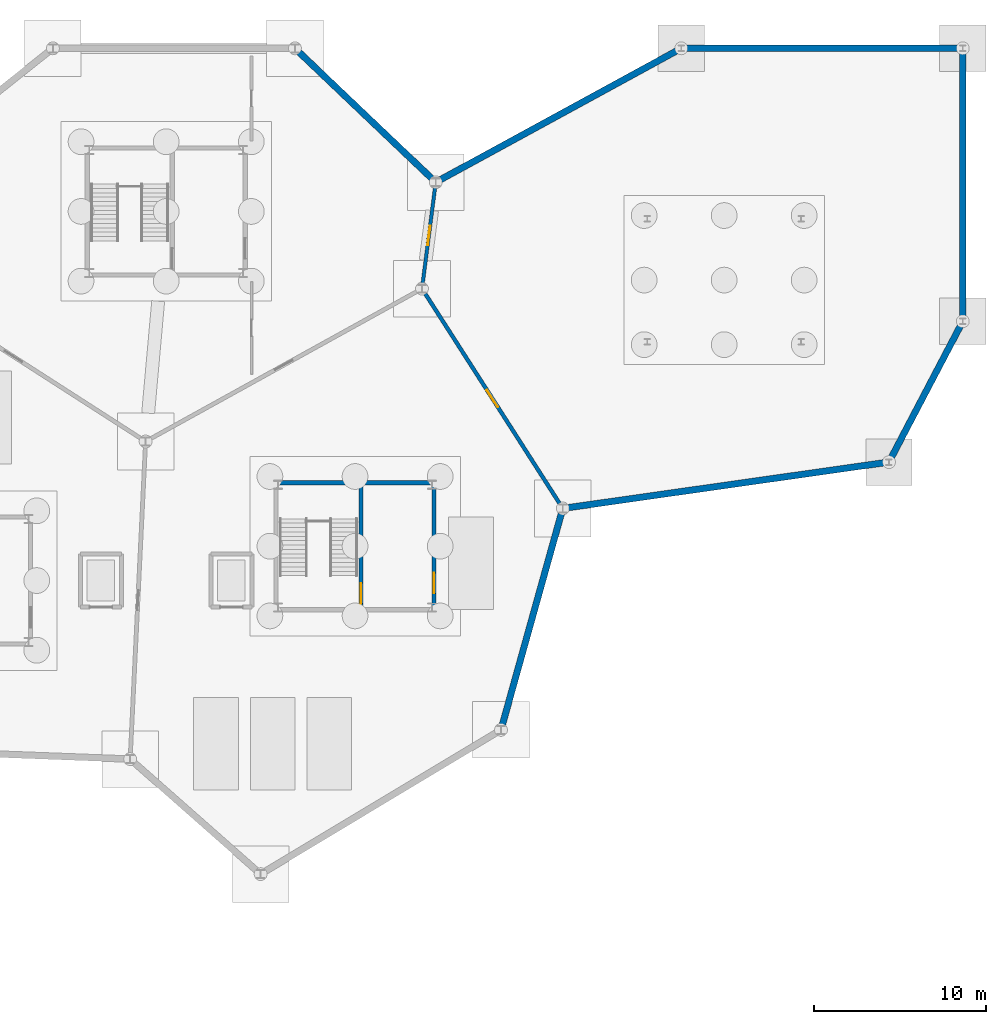
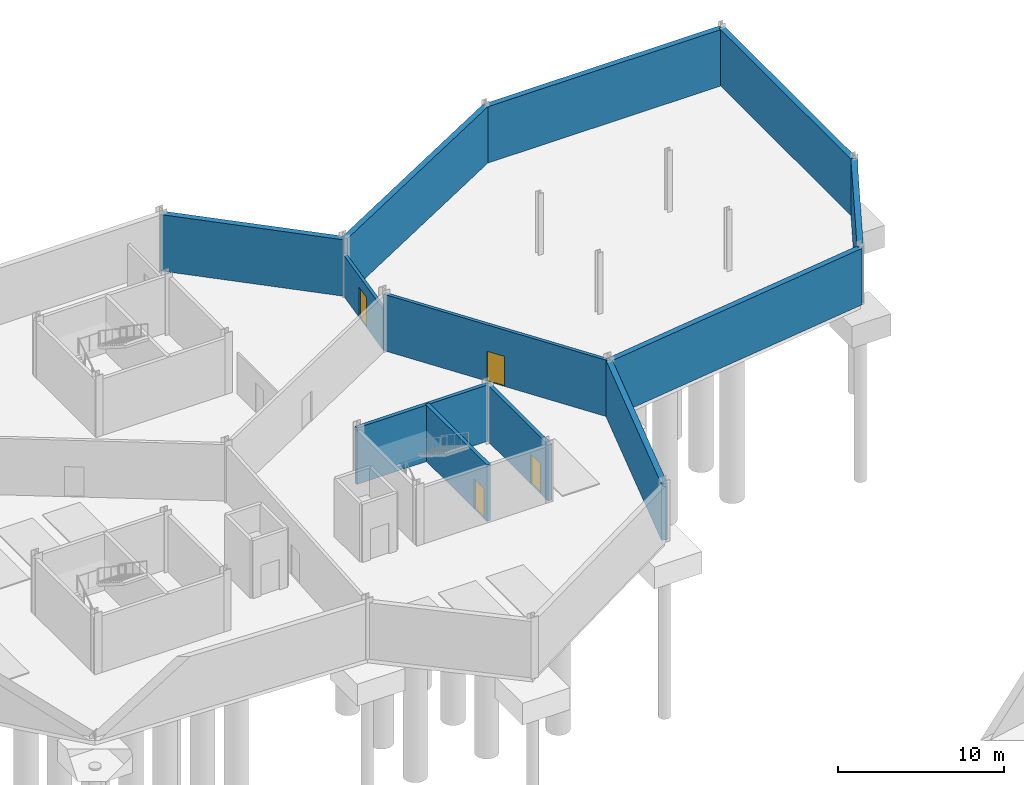
# One storey, part 32 of 37: 12 walls, 4 doors, 4 openings.
"""IFC4 building model written with IfcOpenShell, lengths in metres."""

from ifc_helpers import new_model, si_unit, direction, frame, frame_2d, origin, place, context, subcontext, project, spatial, rectangle, extrude, material, layer, layer_set, type_object, element, fill, save


model = new_model("IFC4")

# Units and contexts
model_context = context("Model", 3, precision=1e-05, world=origin(), true_north=direction((0.0, 1.0)))
body_context = subcontext(model_context, "Body", "Model", "MODEL_VIEW")
ifc_project = project(units=[si_unit("LENGTHUNIT", "METRE"), si_unit("AREAUNIT", "SQUARE_METRE"), si_unit("VOLUMEUNIT", "CUBIC_METRE"), si_unit("PLANEANGLEUNIT", "RADIAN"), si_unit("MASSUNIT", "GRAM", prefix="KILO")], contexts=[model_context])

# Site, building, storey
site_placement = place(None, origin())
site = spatial("IfcSite", under=ifc_project, at=site_placement, CompositionType="ELEMENT")
building_placement = place(site_placement, origin())
building = spatial("IfcBuilding", under=site, at=building_placement, Name="Tameran Prism Museum", CompositionType="ELEMENT")
storey_placement = place(building_placement, frame((0.0, 0.0, -4.5)))
storey = spatial("IfcBuildingStorey", under=building, at=storey_placement, Name="B1", CompositionType="ELEMENT", Elevation=-4.5)

# Walls
ifc_material_1 = material(Name="Concrete N40 (40 MPa)", Category="concrete")
ifc_layer_1 = layer(ifc_material_1, 0.3798828125)
ifc_layer_set_1 = layer_set([ifc_layer_1])
wall_type_1 = type_object("IfcWallType", Name="EW-RET-380", PredefinedType="USERDEFINED", material=ifc_layer_set_1)
wall_1_placement = place(storey_placement, frame((139.5, 72.300048828125, 0.0), z_axis=(0.0, 0.0, 1.0), x_axis=(0.268819495644, 0.963190572401, 0.0)))
element("IfcWall", 1, at=wall_1_placement, inside=storey, type_object=wall_type_1, Name="Basement Retaining Wall RW-006", ObjectType="RETAININGWALL", PredefinedType="USERDEFINED", context=body_context, shape_type="SweptSolid", body=[
    extrude(rectangle(XDim=13.34326171875, YDim=0.3798828125, at=frame_2d((6.671630859375, 0.0))), origin(), (0.0, 0.0, 1.0), 4.139892578125),
])
wall_2_placement = place(storey_placement, frame((135.6640625, 104.23388671875, 0.0), z_axis=(0.0, 0.0, 1.0), x_axis=(-0.724544866469, 0.689227637631, 0.0)))
element("IfcWall", 2, at=wall_2_placement, inside=storey, type_object=wall_type_1, Name="Basement Retaining Wall RW-007", ObjectType="RETAININGWALL", PredefinedType="USERDEFINED", context=body_context, shape_type="SweptSolid", body=[
    extrude(rectangle(XDim=11.267822265625, YDim=0.3798828125, at=frame_2d((5.6337890625, 0.0))), origin(), (0.0, 0.0, 1.0), 4.139892578125),
])
wall_3_placement = place(storey_placement, frame((143.14892578125, 85.20703125, 0.0), z_axis=(0.0, 0.0, 1.0), x_axis=(0.99005482485, 0.140682066347, 0.0)))
element("IfcWall", 3, at=wall_3_placement, inside=storey, type_object=wall_type_1, Name="Basement Retaining Wall RW-011", ObjectType="RETAININGWALL", PredefinedType="USERDEFINED", context=body_context, shape_type="SweptSolid", body=[
    extrude(rectangle(XDim=19.1416015625, YDim=0.3798828125, at=frame_2d((9.57080078125, 0.0))), origin(), (0.0, 0.0, 1.0), 4.139892578125),
])
wall_4_placement = place(storey_placement, frame((162.10009765625, 87.89990234375, 0.0), z_axis=(0.0, 0.0, 1.0), x_axis=(0.464385293852, 0.885633275602, 0.0)))
element("IfcWall", 4, at=wall_4_placement, inside=storey, type_object=wall_type_1, Name="Basement Retaining Wall RW-012", ObjectType="RETAININGWALL", PredefinedType="USERDEFINED", context=body_context, shape_type="SweptSolid", body=[
    extrude(rectangle(XDim=9.259033203125, YDim=0.3798828125, at=frame_2d((4.62939453125, 0.0))), origin(), (0.0, 0.0, 1.0), 4.139892578125),
])
wall_5_placement = place(storey_placement, frame((166.39990234375, 96.10009765625, 0.0), z_axis=(0.0, 0.0, 1.0), x_axis=(0.0, 1.0, 0.0)))
element("IfcWall", 5, at=wall_5_placement, inside=storey, type_object=wall_type_1, Name="Basement Retaining Wall RW-013", ObjectType="RETAININGWALL", PredefinedType="USERDEFINED", context=body_context, shape_type="SweptSolid", body=[
    extrude(rectangle(XDim=15.89990234375, YDim=0.3798828125, at=frame_2d((7.949951171875, 0.0))), origin(), (0.0, 0.0, 1.0), 4.139892578125),
])
wall_6_placement = place(storey_placement, frame((166.39990234375, 112.0, 0.0), z_axis=(0.0, 0.0, 1.0), x_axis=(-1.0, 0.0, 0.0)))
element("IfcWall", 6, at=wall_6_placement, inside=storey, type_object=wall_type_1, Name="Basement Retaining Wall RW-014", ObjectType="RETAININGWALL", PredefinedType="USERDEFINED", context=body_context, shape_type="SweptSolid", body=[
    extrude(rectangle(XDim=16.39990234375, YDim=0.3798828125, at=frame_2d((8.199951171875, 0.0))), origin(), (0.0, 0.0, 1.0), 4.139892578125),
])
wall_7_placement = place(storey_placement, frame((150.0, 112.0, 0.0), z_axis=(0.0, 0.0, 1.0), x_axis=(-0.87790016936, -0.478843703768, 0.0)))
element("IfcWall", 7, at=wall_7_placement, inside=storey, type_object=wall_type_1, Name="Basement Retaining Wall RW-015", ObjectType="RETAININGWALL", PredefinedType="USERDEFINED", context=body_context, shape_type="SweptSolid", body=[
    extrude(rectangle(XDim=16.23876953125, YDim=0.3798828125, at=frame_2d((8.119384765625, 0.0))), origin(), (0.0, 0.0, 1.0), 4.139892578125),
])

# Wall, opening, door
ifc_material_2 = material(Name="Concrete N32 (32 MPa)", Category="concrete")
ifc_layer_2 = layer(ifc_material_2, 0.205078125)
ifc_layer_set_2 = layer_set([ifc_layer_2])
wall_type_2 = type_object("IfcWallType", Name="IW-CMP-205", PredefinedType="SOLIDWALL", material=ifc_layer_set_2)
wall_8_placement = place(storey_placement, frame((134.89990234375, 98.0, 0.0), z_axis=(0.0, 0.0, 1.0), x_axis=(0.127980011854, 0.991776747341, 0.0)))
wall_8 = element("IfcWall", 8, at=wall_8_placement, inside=storey, type_object=wall_type_2, Name="Compartment Wall IW-0005", PredefinedType="SOLIDWALL", context=body_context, shape_type="SweptSolid", body=[
    extrude(rectangle(XDim=6.25146484375, YDim=0.205078125, at=frame_2d((3.125732421875, 0.0))), origin(), (0.0, 0.0, 1.0), 3.02001953125),
])
opening_1_placement = place(wall_8_placement, frame((2.551025390625, 0.0, 0.0)))
opening_1 = element("IfcOpeningElement", 9, at=opening_1_placement, cuts=wall_8, Name="Opening ID-0005", PredefinedType="OPENING", context=body_context, shape_type="SweptSolid", body=[
    extrude(rectangle(XDim=1.14990234375, YDim=2.199951171875, at=frame_2d((0.574951171875, 1.10009765625))), frame((0.0, 0.112548828125, 0.0), z_axis=(0.0, -1.0, 0.0), x_axis=(1.0, 0.0, 0.0)), (0.0, 0.0, 1.0), 0.22509765625),
])
ifc_material_3 = material(Name="Fire-Rated Steel Door Leaf and Frame", Category="steel")
door_type_1 = type_object("IfcDoorType", Name="DR-FD-120B", OperationType="NOTDEFINED", PredefinedType="DOOR", material=ifc_material_3)
door_1_placement = place(opening_1_placement, origin())
door_1 = element("IfcDoor", 10, at=door_1_placement, inside=storey, type_object=door_type_1, Name="Compartment Door ID-0005", OperationType="SINGLE_SWING_RIGHT", OverallHeight=2.199951171875, OverallWidth=1.14990234375, PredefinedType="DOOR", context=body_context, shape_type="SweptSolid", body=[
    extrude(rectangle(XDim=1.14990234375, YDim=2.199951171875, at=frame_2d((0.574951171875, 1.10009765625))), frame((0.0, 0.02490234375, 0.0), z_axis=(0.0, -1.0, 0.0), x_axis=(1.0, 0.0, 0.0)), (0.0, 0.0, 1.0), 0.050048828125),
])
fill(opening_1, door_1)

ifc_material_4 = material(Name="Concrete N40 (40 MPa)", Category="concrete")
ifc_layer_3 = layer(ifc_material_4, 0.22509765625)
ifc_layer_set_3 = layer_set([ifc_layer_3])
wall_type_3 = type_object("IfcWallType", Name="IW-CMP-225", PredefinedType="SOLIDWALL", material=ifc_layer_set_3)
wall_9_placement = place(storey_placement, frame((143.10009765625, 85.199951171875, 0.0), z_axis=(0.0, 0.0, 1.0), x_axis=(-0.539434641352, 0.842027474439, 0.0)))
wall_9 = element("IfcWall", 11, at=wall_9_placement, inside=storey, type_object=wall_type_3, Name="Compartment Wall IW-0004", PredefinedType="SOLIDWALL", context=body_context, shape_type="SweptSolid", body=[
    extrude(rectangle(XDim=15.201416015625, YDim=0.22509765625, at=frame_2d((7.6005859375, 0.0))), origin(), (0.0, 0.0, 1.0), 4.139892578125),
])
opening_2_placement = place(wall_9_placement, frame((7.0009765625, 0.0, 0.0)))
opening_2 = element("IfcOpeningElement", 12, at=opening_2_placement, cuts=wall_9, Name="Opening ID-0004", PredefinedType="OPENING", context=body_context, shape_type="SweptSolid", body=[
    extrude(rectangle(XDim=1.199951171875, YDim=2.199951171875, at=frame_2d((0.60009765625, 1.10009765625))), frame((0.0, 0.12255859375, 0.0), z_axis=(0.0, -1.0, 0.0), x_axis=(1.0, 0.0, 0.0)), (0.0, 0.0, 1.0), 0.2451171875),
])
ifc_material_5 = material(Name="Fire-Rated Steel Door Leaf and Frame", Category="steel")
door_type_2 = type_object("IfcDoorType", Name="DR-FD-120A", OperationType="NOTDEFINED", PredefinedType="DOOR", material=ifc_material_5)
door_2_placement = place(opening_2_placement, origin())
door_2 = element("IfcDoor", 13, at=door_2_placement, inside=storey, type_object=door_type_2, Name="Compartment Door ID-0004", OperationType="SINGLE_SWING_LEFT", OverallHeight=2.199951171875, OverallWidth=1.199951171875, PredefinedType="DOOR", context=body_context, shape_type="SweptSolid", body=[
    extrude(rectangle(XDim=1.199951171875, YDim=2.199951171875, at=frame_2d((0.60009765625, 1.10009765625))), frame((0.0, 0.02490234375, 0.0), z_axis=(0.0, -1.0, 0.0), x_axis=(1.0, 0.0, 0.0)), (0.0, 0.0, 1.0), 0.050048828125),
])
fill(opening_2, door_2)

# Wall
ifc_material_6 = material(Name="Concrete N40 (40 MPa)", Category="concrete")
ifc_layer_4 = layer(ifc_material_6, 0.25)
ifc_layer_set_4 = layer_set([ifc_layer_4])
wall_type_4 = type_object("IfcWallType", Name="IW-COR-250", PredefinedType="SHEAR", material=ifc_layer_set_4)
wall_10_placement = place(storey_placement, frame((126.39990234375, 86.699951171875, 0.0), z_axis=(0.0, 0.0, 1.0), x_axis=(1.0, 0.0, 0.0)))
element("IfcWall", 14, at=wall_10_placement, inside=storey, type_object=wall_type_4, Name="Core Shear Wall CW-2-B1-N", PredefinedType="SHEAR", context=body_context, shape_type="SweptSolid", body=[
    extrude(rectangle(XDim=9.2001953125, YDim=0.25, at=frame_2d((4.60009765625, 0.0))), origin(), (0.0, 0.0, 1.0), 4.139892578125),
])

# Wall, opening, door
wall_11_placement = place(storey_placement, frame((135.60009765625, 86.699951171875, 0.0), z_axis=(0.0, 0.0, 1.0), x_axis=(0.0, -1.0, 0.0)))
wall_11 = element("IfcWall", 15, at=wall_11_placement, inside=storey, type_object=wall_type_4, Name="Core Shear Wall CW-2-B1-E", PredefinedType="SHEAR", context=body_context, shape_type="SweptSolid", body=[
    extrude(rectangle(XDim=7.39990234375, YDim=0.25, at=frame_2d((3.699951171875, 0.0))), origin(), (0.0, 0.0, 1.0), 4.139892578125),
])
opening_3_placement = place(wall_11_placement, frame((5.25, 0.0, 0.0)))
opening_3 = element("IfcOpeningElement", 16, at=opening_3_placement, cuts=wall_11, Name="Opening FD-0183", PredefinedType="OPENING", context=body_context, shape_type="SweptSolid", body=[
    extrude(rectangle(XDim=1.199951171875, YDim=2.199951171875, at=frame_2d((0.60009765625, 1.10009765625))), frame((0.0, 0.135009765625, 0.0), z_axis=(0.0, -1.0, 0.0), x_axis=(1.0, 0.0, 0.0)), (0.0, 0.0, 1.0), 0.27001953125),
])
door_3_placement = place(opening_3_placement, origin())
door_3 = element("IfcDoor", 17, at=door_3_placement, inside=storey, type_object=door_type_2, Name="Core Fire Door FD-0183", OperationType="SINGLE_SWING_LEFT", OverallHeight=2.199951171875, OverallWidth=1.199951171875, PredefinedType="DOOR", context=body_context, shape_type="SweptSolid", body=[
    extrude(rectangle(XDim=1.199951171875, YDim=2.199951171875, at=frame_2d((0.60009765625, 1.10009765625))), frame((0.0, 0.02490234375, 0.0), z_axis=(0.0, -1.0, 0.0), x_axis=(1.0, 0.0, 0.0)), (0.0, 0.0, 1.0), 0.050048828125),
])
fill(opening_3, door_3)

wall_12_placement = place(storey_placement, frame((131.35009765625, 86.699951171875, 0.0), z_axis=(0.0, 0.0, 1.0), x_axis=(0.0, -1.0, 0.0)))
wall_12 = element("IfcWall", 18, at=wall_12_placement, inside=storey, type_object=wall_type_4, Name="Core Shear Wall CW-2-B1-M", PredefinedType="SHEAR", context=body_context, shape_type="SweptSolid", body=[
    extrude(rectangle(XDim=7.39990234375, YDim=0.25, at=frame_2d((3.699951171875, 0.0))), origin(), (0.0, 0.0, 1.0), 4.139892578125),
])
opening_4_placement = place(wall_12_placement, frame((5.85009765625, 0.0, 0.0)))
opening_4 = element("IfcOpeningElement", 19, at=opening_4_placement, cuts=wall_12, Name="Opening FD-0184", PredefinedType="OPENING", context=body_context, shape_type="SweptSolid", body=[
    extrude(rectangle(XDim=1.199951171875, YDim=2.199951171875, at=frame_2d((0.60009765625, 1.10009765625))), frame((0.0, 0.135009765625, 0.0), z_axis=(0.0, -1.0, 0.0), x_axis=(1.0, 0.0, 0.0)), (0.0, 0.0, 1.0), 0.27001953125),
])
door_4_placement = place(opening_4_placement, origin())
door_4 = element("IfcDoor", 20, at=door_4_placement, inside=storey, type_object=door_type_2, Name="Core Fire Door FD-0184", OperationType="SINGLE_SWING_RIGHT", OverallHeight=2.199951171875, OverallWidth=1.199951171875, PredefinedType="DOOR", context=body_context, shape_type="SweptSolid", body=[
    extrude(rectangle(XDim=1.199951171875, YDim=2.199951171875, at=frame_2d((0.60009765625, 1.10009765625))), frame((0.0, 0.02490234375, 0.0), z_axis=(0.0, -1.0, 0.0), x_axis=(1.0, 0.0, 0.0)), (0.0, 0.0, 1.0), 0.050048828125),
])
fill(opening_4, door_4)

save(model, "model.ifc")
